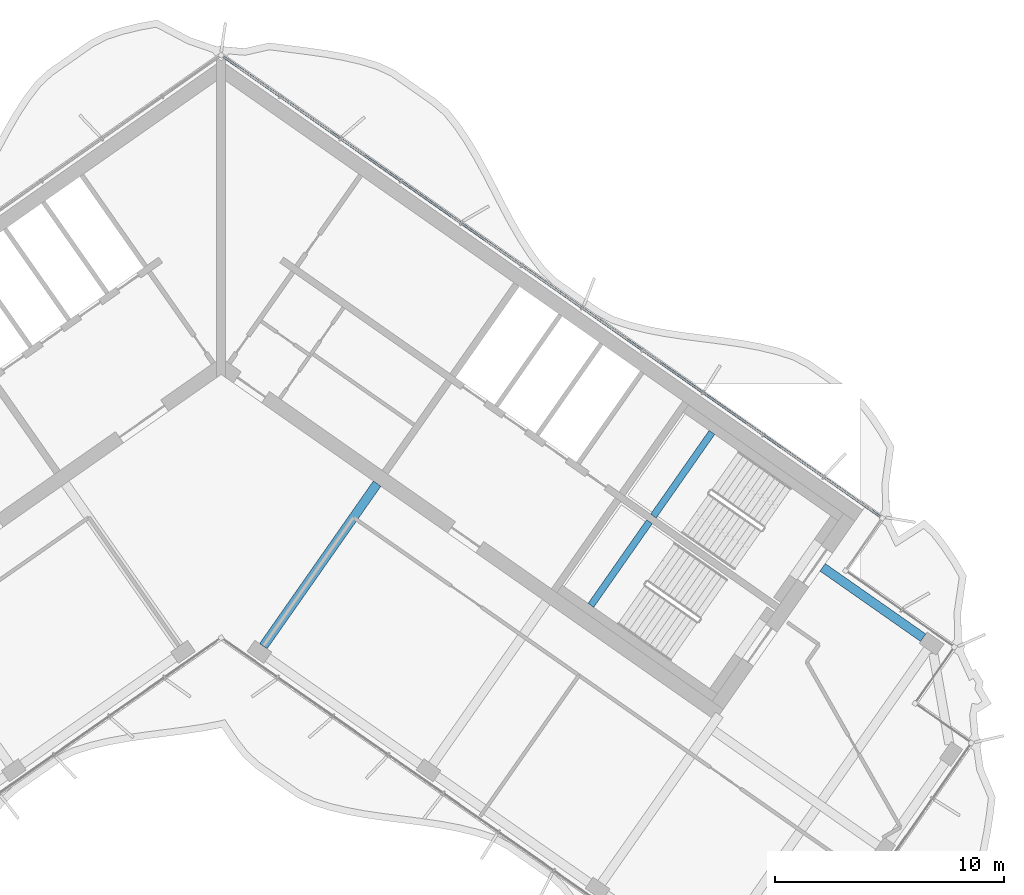
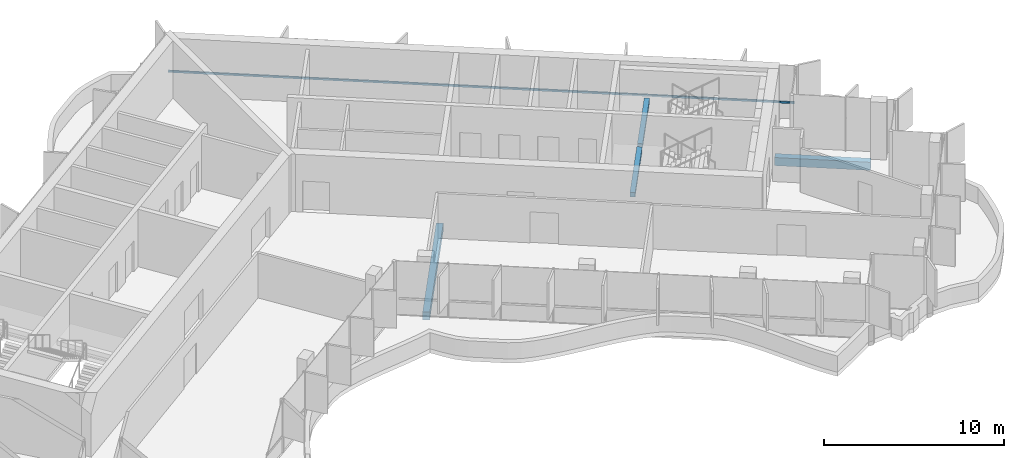
# One storey, part 5 of 19: 4 beams, 1 member, 1 element without a shape of its own.
"""IFC4 building model written with IfcOpenShell, lengths in metres."""

from ifc_helpers import new_model, si_unit, direction, frame, origin, origin_2d, place, context, subcontext, project, spatial, rectangle, extrude, material, material_profile, profile_set, type_object, element, aggregate, save


model = new_model("IFC4")

# Units and contexts
model_context = context("Model", 3, precision=1e-05, world=origin(), true_north=direction((0.0, 1.0)))
body_context = subcontext(model_context, "Body", "Model", "MODEL_VIEW")
ifc_project = project(units=[si_unit("LENGTHUNIT", "METRE"), si_unit("AREAUNIT", "SQUARE_METRE"), si_unit("VOLUMEUNIT", "CUBIC_METRE"), si_unit("PLANEANGLEUNIT", "RADIAN"), si_unit("MASSUNIT", "GRAM", prefix="KILO")], contexts=[model_context])

# Site, building, storey
site_placement = place(None, origin())
site = spatial("IfcSite", under=ifc_project, at=site_placement, CompositionType="ELEMENT")
building_placement = place(site_placement, origin())
building = spatial("IfcBuilding", under=site, at=building_placement, Name="Tel Ilan Convention Tower", CompositionType="ELEMENT")
storey_placement = place(building_placement, frame((0.0, 0.0, 241.0)))
storey = spatial("IfcBuildingStorey", under=building, at=storey_placement, Name="L56", CompositionType="ELEMENT", Elevation=241.0)

# Beams
ifc_material_1 = material(Name="Concrete C40/50", Category="concrete")
ifc_material_profile_1 = material_profile(ifc_material_1, rectangle(XDim=0.39990234375, YDim=0.550048828125, at=origin_2d()), Name="RC 400x550")
ifc_profile_set_1 = profile_set([ifc_material_profile_1], Name="Concrete C40/50")
beam_type_1 = type_object("IfcBeamType", Name="Beam RC 400x550 Concrete C40/50", PredefinedType="BEAM", material=ifc_profile_set_1)
beam_1_placement = place(storey_placement, frame((30.6005859375, -12.6982421875, -0.554931640625), z_axis=(-0.819146154531, 0.573584847705, 0.0), x_axis=(-0.573584847705, -0.819146154531, 0.0)))
element("IfcBeam", 1, at=beam_1_placement, inside=storey, type_object=beam_type_1, Name="L56 beam E-E-BC-core", PredefinedType="BEAM", context=body_context, shape_type="SweptSolid", body=[
    extrude(rectangle(XDim=0.39990234375, YDim=0.550048828125, at=origin_2d()), origin(), (0.0, 0.0, 1.0), 5.349853515625),
])
beam_2_placement = place(storey_placement, frame((1.83740234375, -13.06689453125, -0.554931640625), z_axis=(0.573574099654, 0.819153680457, 0.0), x_axis=(-0.819153680457, 0.573574099654, 0.0)))
element("IfcBeam", 2, at=beam_2_placement, inside=storey, type_object=beam_type_1, Name="L56 beam E-E-F1-core", PredefinedType="BEAM", context=body_context, shape_type="SweptSolid", body=[
    extrude(rectangle(XDim=0.39990234375, YDim=0.550048828125, at=origin_2d()), origin(), (0.0, 0.0, 1.0), 8.64990234375),
])

# Curtain wall, member
ifc_material_2 = material(Name="Aluminium, bronze anodised", Category="aluminium")
curtain_wall_type = type_object("IfcCurtainWallType", Name="CW2 STICK CURTAIN WALL, SPANDREL PANELS", PredefinedType="NOTDEFINED", material=ifc_material_2)
curtain_wall_placement = place(storey_placement, origin())
curtain_wall = element("IfcCurtainWall", 3, at=curtain_wall_placement, inside=storey, type_object=curtain_wall_type, Name="Curtain wall CW2-43.01", PredefinedType="NOTDEFINED")
ifc_material_3 = material(Name="Aluminium, bronze anodised", Category="aluminium")
ifc_material_profile_2 = material_profile(ifc_material_3, rectangle(XDim=0.10009765625, YDim=0.1201171875, at=origin_2d()), Name="CW TRANSOM 100x120")
ifc_profile_set_2 = profile_set([ifc_material_profile_2], Name="Aluminium, bronze anodised")
member_type = type_object("IfcMemberType", Name="CW TRANSOM 100x120", PredefinedType="USERDEFINED", material=ifc_profile_set_2)
member_placement = place(storey_placement, frame((28.737548828125, -7.42626953125, 1.10009765625), z_axis=(-0.819150201937, 0.573579067494, 0.0), x_axis=(-0.573579067494, -0.819150201937, 0.0)))
member = element("IfcMember", 4, at=member_placement, type_object=member_type, Name="Transom", ObjectType="TRANSOM", PredefinedType="USERDEFINED", context=body_context, shape_type="SweptSolid", body=[
    extrude(rectangle(XDim=0.10009765625, YDim=0.1201171875, at=origin_2d()), origin(), (0.0, 0.0, 1.0), 34.9521484375),
])
aggregate(curtain_wall, [member])

# Beams
ifc_material_4 = material(Name="Concrete C40/50", Category="concrete")
ifc_material_profile_3 = material_profile(ifc_material_4, rectangle(XDim=0.300048828125, YDim=0.300048828125, at=origin_2d()), Name="RC 300x300")
ifc_profile_set_3 = profile_set([ifc_material_profile_3], Name="Concrete C40/50")
beam_type_2 = type_object("IfcBeamType", Name="Landing Beam RC 300x300 Concrete C40/50", PredefinedType="BEAM", material=ifc_profile_set_3)
beam_3_placement = place(storey_placement, frame((21.39404296875, -3.7490234375, 1.60009765625), z_axis=(-0.573547030514, -0.819172633691, 0.0), x_axis=(0.819172633691, -0.573547030514, 0.0)))
element("IfcBeam", 5, at=beam_3_placement, inside=storey, type_object=beam_type_2, Name="S3 landing beam L56.1", PredefinedType="BEAM", context=body_context, shape_type="SweptSolid", body=[
    extrude(rectangle(XDim=0.300048828125, YDim=0.300048828125, at=origin_2d()), origin(), (0.0, 0.0, 1.0), 4.449951171875),
])
beam_4_placement = place(storey_placement, frame((18.669677734375, -7.64013671875, 1.60009765625), z_axis=(-0.573583844845, -0.819146856756, 0.0), x_axis=(0.819146856756, -0.573583844845, 0.0)))
element("IfcBeam", 6, at=beam_4_placement, inside=storey, type_object=beam_type_2, Name="S4 landing beam L56.1", PredefinedType="BEAM", context=body_context, shape_type="SweptSolid", body=[
    extrude(rectangle(XDim=0.300048828125, YDim=0.300048828125, at=origin_2d()), origin(), (0.0, 0.0, 1.0), 4.4501953125),
])

save(model, "model.ifc")
